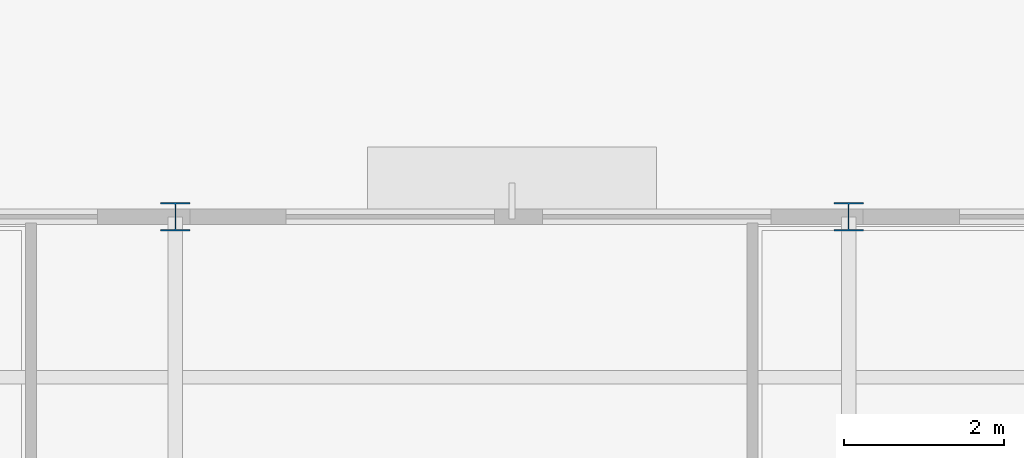
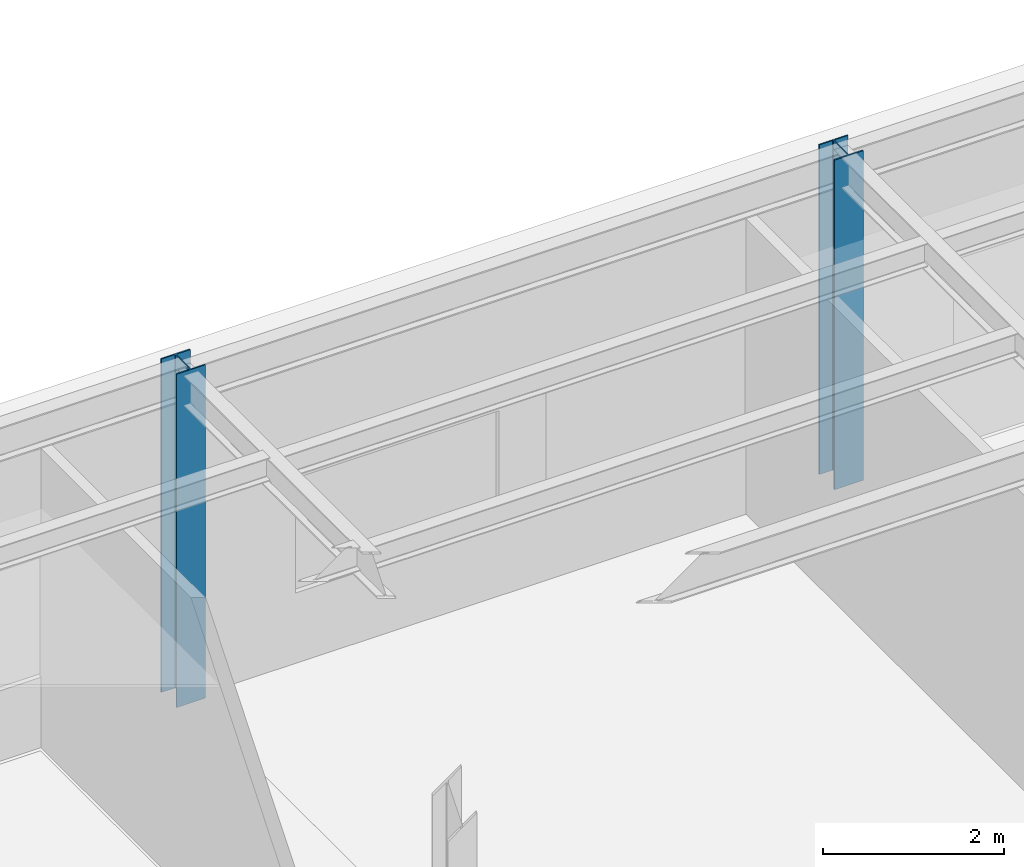
# One storey, part 12 of 82: 2 columns.
"""IFC4 building model written with IfcOpenShell, lengths in metres."""

from ifc_helpers import new_model, si_unit, direction, frame, origin, origin_2d, place, context, subcontext, project, spatial, i_section, extrude, material, material_profile, profile_set, type_object, element, save


model = new_model("IFC4")

# Units and contexts
model_context = context("Model", 3, precision=1e-05, world=origin(), true_north=direction((0.0, 1.0)))
body_context = subcontext(model_context, "Body", "Model", "MODEL_VIEW")
ifc_project = project(units=[si_unit("LENGTHUNIT", "METRE"), si_unit("AREAUNIT", "SQUARE_METRE"), si_unit("VOLUMEUNIT", "CUBIC_METRE"), si_unit("PLANEANGLEUNIT", "RADIAN"), si_unit("MASSUNIT", "GRAM", prefix="KILO")], contexts=[model_context])

# Site, building, storey
site_placement = place(None, origin())
site = spatial("IfcSite", under=ifc_project, at=site_placement, CompositionType="ELEMENT")
building_placement = place(site_placement, origin())
building = spatial("IfcBuilding", under=site, at=building_placement, Name="Sitalva Quay Ferry Terminal", CompositionType="ELEMENT")
storey_placement = place(building_placement, frame((0.0, 0.0, 5.39990234375)))
storey = spatial("IfcBuildingStorey", under=building, at=storey_placement, Name="L02", CompositionType="ELEMENT", Elevation=5.39990234375)

# Columns
ifc_material = material(Name="Structural Steel S355JR", Category="steel")
ifc_material_profile = material_profile(ifc_material, i_section(OverallWidth=0.368896484375, OverallDepth=0.35595703125, WebThickness=0.01123046875, FlangeThickness=0.01806640625, FilletRadius=0.014892578125, at=origin_2d()), Name="W360x134")
ifc_profile_set = profile_set([ifc_material_profile], Name="Structural Steel S355JR")
column_type = type_object("IfcColumnType", Name="Col_W360x134", PredefinedType="COLUMN", material=ifc_profile_set)
column_1_placement = place(storey_placement, frame((126.0, 106.0, 0.0), z_axis=(0.0, 0.0, 1.0), x_axis=(1.0, 0.0, 0.0)))
element("IfcColumn", 1, at=column_1_placement, inside=storey, type_object=column_type, Name="L02 column 16M", PredefinedType="COLUMN", context=body_context, shape_type="SweptSolid", body=[
    extrude(i_section(OverallWidth=0.368896484375, OverallDepth=0.35595703125, WebThickness=0.01123046875, FlangeThickness=0.01806640625, FilletRadius=0.014892578125, at=origin_2d()), origin(), (0.0, 0.0, 1.0), 4.5),
])
column_2_placement = place(storey_placement, frame((134.39990234375, 106.0, 0.0), z_axis=(0.0, 0.0, 1.0), x_axis=(1.0, 0.0, 0.0)))
element("IfcColumn", 2, at=column_2_placement, inside=storey, type_object=column_type, Name="L02 column 17M", PredefinedType="COLUMN", context=body_context, shape_type="SweptSolid", body=[
    extrude(i_section(OverallWidth=0.368896484375, OverallDepth=0.35595703125, WebThickness=0.01123046875, FlangeThickness=0.01806640625, FilletRadius=0.014892578125, at=origin_2d()), origin(), (0.0, 0.0, 1.0), 4.4501953125),
])

save(model, "model.ifc")
